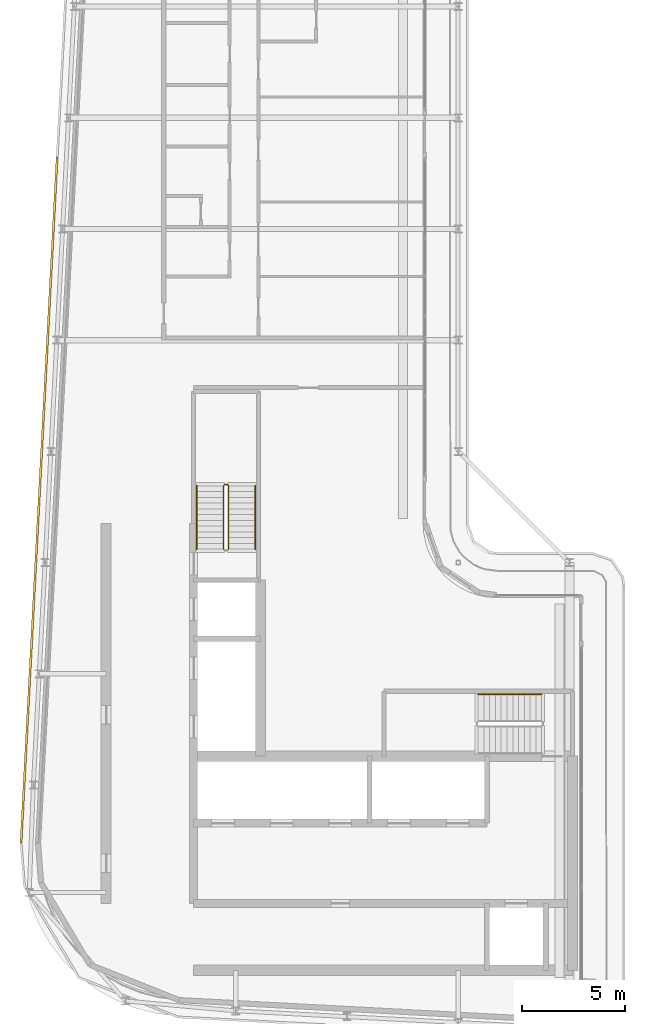
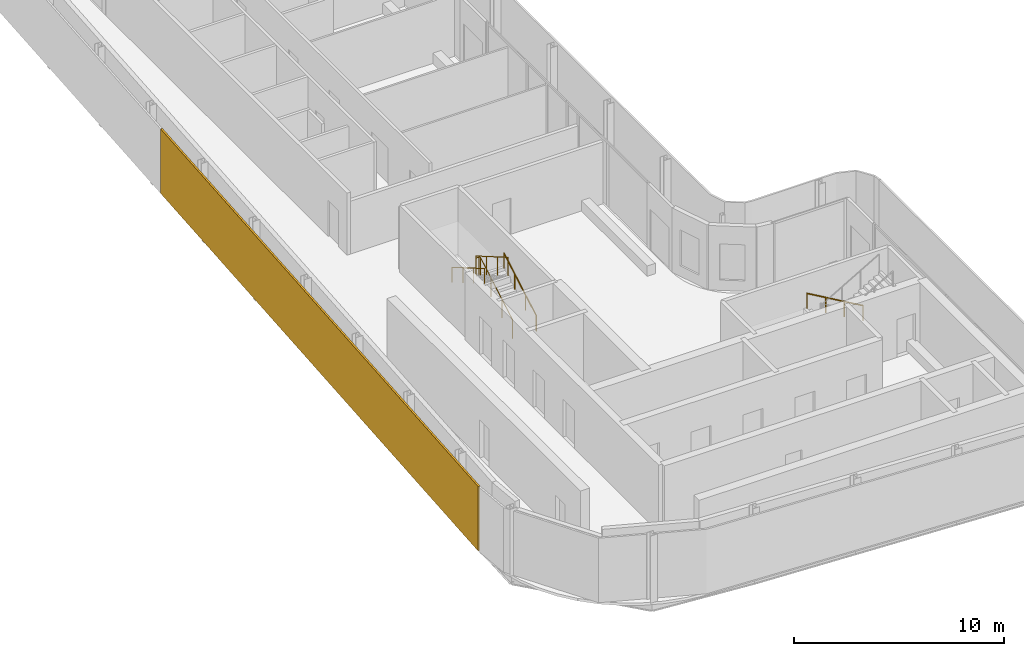
# One storey, part 15 of 18: 4 railings, 1 shading device.
"""IFC4 building model written with IfcOpenShell, lengths in metres."""

from ifc_helpers import new_model, si_unit, direction, frame, origin, origin_2d, place, context, subcontext, project, spatial, rectangle, circle, extrude, material, layer, layer_set, type_object, element, save


model = new_model("IFC4")

# Units and contexts
model_context = context("Model", 3, precision=1e-05, world=origin(), true_north=direction((0.0, 1.0)))
body_context = subcontext(model_context, "Body", "Model", "MODEL_VIEW")
ifc_project = project(units=[si_unit("LENGTHUNIT", "METRE"), si_unit("AREAUNIT", "SQUARE_METRE"), si_unit("VOLUMEUNIT", "CUBIC_METRE"), si_unit("PLANEANGLEUNIT", "RADIAN"), si_unit("MASSUNIT", "GRAM", prefix="KILO")], contexts=[model_context])

# Site, building, storey
site_placement = place(None, origin())
site = spatial("IfcSite", under=ifc_project, at=site_placement, CompositionType="ELEMENT")
building_placement = place(site_placement, origin())
building = spatial("IfcBuilding", under=site, at=building_placement, Name="Kheshtan School and Residences Tower", CompositionType="ELEMENT")
storey_placement = place(building_placement, frame((0.0, 0.0, 381.199951171875)))
storey = spatial("IfcBuildingStorey", under=building, at=storey_placement, Name="L90", CompositionType="ELEMENT", Elevation=381.199951171875)

# Shading device
ifc_material_1 = material(Name="Terracotta baguette, extruded ceramic", Category="masonry")
ifc_layer = layer(ifc_material_1, 0.10009765625)
ifc_layer_set = layer_set([ifc_layer], Name="Ledge screen, terracotta baguettes")
shading_device_type = type_object("IfcShadingDeviceType", Name="Ledge screen, terracotta baguettes", PredefinedType="USERDEFINED", material=ifc_layer_set)
shading_device_placement = place(storey_placement, frame((27.24609375, 48.638916015625, 0.0), z_axis=(0.0, 0.0, 1.0), x_axis=(0.052562536748, 0.998617634398, 0.0)))
element("IfcShadingDevice", 1, at=shading_device_placement, inside=storey, type_object=shading_device_type, Name="Screen L90 4", ObjectType="BAGUETTE", PredefinedType="USERDEFINED", context=body_context, shape_type="SweptSolid", body=[
    extrude(rectangle(XDim=33.341064453125, YDim=0.10009765625, at=origin_2d()), origin(), (0.0, 0.0, 1.0), 3.75),
])

# Railings
ifc_material_2 = material(Name="Stainless steel balustrade", Category="steel")
railing_type_1 = type_object("IfcRailingType", Name="Stair guard 1100", PredefinedType="GUARDRAIL", material=ifc_material_2)
railing_1_placement = place(storey_placement, frame((36.449951171875, 46.25, 0.16259765625)))
element("IfcRailing", 2, at=railing_1_placement, inside=storey, type_object=railing_type_1, Name="L90 ST2 stair guard 1", PredefinedType="GUARDRAIL", context=body_context, shape_type="SweptSolid", body=[
    extrude(circle(Radius=0.02392578125, at=origin_2d()), frame((0.0, 0.0, 1.076171875), z_axis=(0.0, 0.864920483161, 0.501908913857), x_axis=(-1.0, 0.0, 0.0)), (0.0, 0.0, 1.0), 3.56103515625),
    extrude(circle(Radius=0.02392578125, at=origin_2d()), frame((0.0, 3.080078125, 2.86328125), z_axis=(-0.708833529934, 0.705375805398, 0.0), x_axis=(-0.705375805398, -0.708833529934, 0.0)), (0.0, 0.0, 1.0), 0.070556640625),
    extrude(circle(Radius=0.02392578125, at=origin_2d()), frame((-0.050048828125, 3.1298828125, 2.86328125), z_axis=(-1.0, 0.0, 0.0), x_axis=(0.0, -1.0, 0.0)), (0.0, 0.0, 1.0), 0.14990234375),
    extrude(circle(Radius=0.02392578125, at=origin_2d()), frame((-0.199951171875, 3.1298828125, 2.86328125), z_axis=(-0.282336740067, -0.280959487676, 0.917250092119), x_axis=(0.705375805398, -0.708833529934, 0.0)), (0.0, 0.0, 1.0), 0.17724609375),
    extrude(circle(Radius=0.02392578125, at=origin_2d()), frame((-0.25, 3.080078125, 3.02587890625), z_axis=(0.0, -0.864890721111, 0.501960198159), x_axis=(1.0, 0.0, 0.0)), (0.0, 0.0, 1.0), 3.561279296875),
    extrude(circle(Radius=0.02099609375, at=origin_2d()), origin(), (0.0, 0.0, 1.0), 1.052001953125),
    extrude(circle(Radius=0.02099609375, at=origin_2d()), frame((0.0, 1.026611328125, 0.595703125)), (0.0, 0.0, 1.0), 1.052001953125),
    extrude(circle(Radius=0.02099609375, at=origin_2d()), frame((0.0, 2.053466796875, 1.191650390625)), (0.0, 0.0, 1.0), 1.052001953125),
    extrude(circle(Radius=0.02099609375, at=origin_2d()), frame((0.0, 3.080078125, 1.787353515625)), (0.0, 0.0, 1.0), 1.052001953125),
    extrude(circle(Radius=0.02099609375, at=origin_2d()), frame((-0.050048828125, 3.1298828125, 1.787353515625)), (0.0, 0.0, 1.0), 1.052001953125),
    extrude(circle(Radius=0.02099609375, at=origin_2d()), frame((-0.199951171875, 3.1298828125, 1.787353515625)), (0.0, 0.0, 1.0), 1.052001953125),
    extrude(circle(Radius=0.02099609375, at=origin_2d()), frame((-0.25, 3.080078125, 1.949951171875)), (0.0, 0.0, 1.0), 1.052001953125),
    extrude(circle(Radius=0.02099609375, at=origin_2d()), frame((-0.25, 2.053466796875, 2.5458984375)), (0.0, 0.0, 1.0), 1.052001953125),
    extrude(circle(Radius=0.02099609375, at=origin_2d()), frame((-0.25, 1.026611328125, 3.1416015625)), (0.0, 0.0, 1.0), 1.052001953125),
    extrude(circle(Radius=0.02099609375, at=origin_2d()), frame((-0.25, 0.0, 3.737548828125)), (0.0, 0.0, 1.0), 1.052001953125),
])
ifc_material_3 = material(Name="Stainless steel handrail", Category="steel")
railing_type_2 = type_object("IfcRailingType", Name="Stair handrail 900", PredefinedType="HANDRAIL", material=ifc_material_3)
railing_2_placement = place(storey_placement, frame((51.64990234375, 39.199951171875, 0.16259765625)))
element("IfcRailing", 3, at=railing_2_placement, inside=storey, type_object=railing_type_2, Name="L90 ST1 stair handrail 1", PredefinedType="HANDRAIL", context=body_context, shape_type="SweptSolid", body=[
    extrude(circle(Radius=0.02392578125, at=origin_2d()), frame((0.0, 0.0, 0.8759765625), z_axis=(-0.864903211148, 0.0, 0.501938676878), x_axis=(0.0, -1.0, 0.0)), (0.0, 0.0, 1.0), 3.560791015625),
    extrude(circle(Radius=0.02099609375, at=origin_2d()), origin(), (0.0, 0.0, 1.0), 0.851806640625),
    extrude(circle(Radius=0.02099609375, at=origin_2d()), frame((-1.026611328125, 0.0, 0.595703125)), (0.0, 0.0, 1.0), 0.851806640625),
    extrude(circle(Radius=0.02099609375, at=origin_2d()), frame((-2.05322265625, 0.0, 1.191650390625)), (0.0, 0.0, 1.0), 0.851806640625),
    extrude(circle(Radius=0.02099609375, at=origin_2d()), frame((-3.079833984375, 0.0, 1.787353515625)), (0.0, 0.0, 1.0), 0.851806640625),
])
railing_3_placement = place(storey_placement, frame((37.75, 46.25, 0.16259765625)))
element("IfcRailing", 4, at=railing_3_placement, inside=storey, type_object=railing_type_2, Name="L90 ST2 stair handrail 1", PredefinedType="HANDRAIL", context=body_context, shape_type="SweptSolid", body=[
    extrude(circle(Radius=0.02392578125, at=origin_2d()), frame((0.0, 0.0, 0.8759765625), z_axis=(0.0, 0.864920483161, 0.501908913857), x_axis=(-1.0, 0.0, 0.0)), (0.0, 0.0, 1.0), 3.56103515625),
    extrude(circle(Radius=0.02099609375, at=origin_2d()), origin(), (0.0, 0.0, 1.0), 0.851806640625),
    extrude(circle(Radius=0.02099609375, at=origin_2d()), frame((0.0, 1.026611328125, 0.595703125)), (0.0, 0.0, 1.0), 0.851806640625),
    extrude(circle(Radius=0.02099609375, at=origin_2d()), frame((0.0, 2.053466796875, 1.191650390625)), (0.0, 0.0, 1.0), 0.851806640625),
    extrude(circle(Radius=0.02099609375, at=origin_2d()), frame((0.0, 3.080078125, 1.787353515625)), (0.0, 0.0, 1.0), 0.851806640625),
])
railing_4_placement = place(storey_placement, frame((34.89990234375, 49.330078125, 2.112548828125)))
element("IfcRailing", 5, at=railing_4_placement, inside=storey, type_object=railing_type_2, Name="L90 ST2 stair handrail 2", PredefinedType="HANDRAIL", context=body_context, shape_type="SweptSolid", body=[
    extrude(circle(Radius=0.02392578125, at=origin_2d()), frame((0.0, 0.0, 0.8759765625), z_axis=(0.0, -0.864890721111, 0.501960198159), x_axis=(1.0, 0.0, 0.0)), (0.0, 0.0, 1.0), 3.561279296875),
    extrude(circle(Radius=0.02099609375, at=origin_2d()), origin(), (0.0, 0.0, 1.0), 0.851806640625),
    extrude(circle(Radius=0.02099609375, at=origin_2d()), frame((0.0, -1.026611328125, 0.595947265625)), (0.0, 0.0, 1.0), 0.851806640625),
    extrude(circle(Radius=0.02099609375, at=origin_2d()), frame((0.0, -2.053466796875, 1.191650390625)), (0.0, 0.0, 1.0), 0.851806640625),
    extrude(circle(Radius=0.02099609375, at=origin_2d()), frame((0.0, -3.080078125, 1.78759765625)), (0.0, 0.0, 1.0), 0.851806640625),
])

save(model, "model.ifc")
